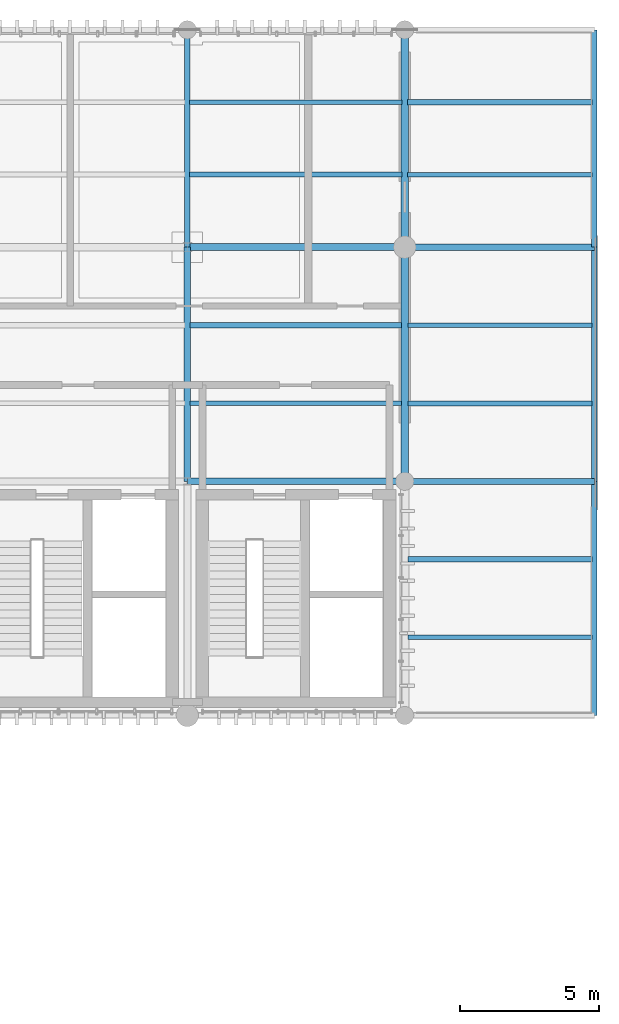
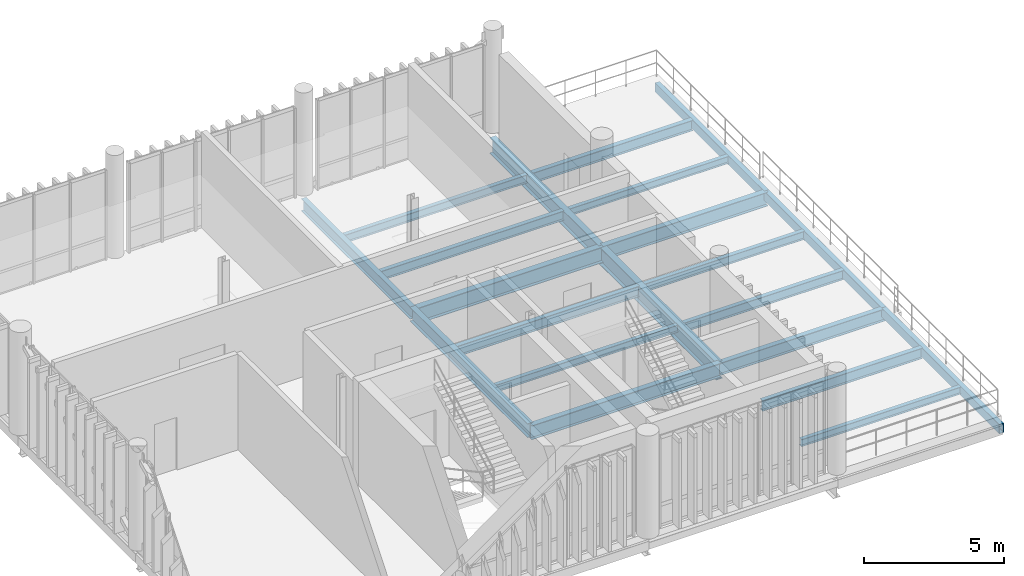
# One storey, part 9 of 19: 21 beams.
"""IFC4 building model written with IfcOpenShell, lengths in metres."""

from ifc_helpers import new_model, si_unit, direction, frame, origin_with_axes, origin_2d_with_axis, place, context, subcontext, project, spatial, hollow_rectangle, i_section, extrude, material, material_profile, profile_set, type_object, element, save


model = new_model("IFC4")

# Units and contexts
model_context = context("Model", 3, precision=1e-05, world=origin_with_axes(), true_north=direction((0.0, 1.0)))
body_context = subcontext(model_context, "Body", "Model", "MODEL_VIEW")
ifc_project = project(units=[si_unit("LENGTHUNIT", "METRE"), si_unit("AREAUNIT", "SQUARE_METRE"), si_unit("VOLUMEUNIT", "CUBIC_METRE"), si_unit("PLANEANGLEUNIT", "RADIAN"), si_unit("MASSUNIT", "GRAM", prefix="KILO"), si_unit("THERMODYNAMICTEMPERATUREUNIT", "KELVIN")], contexts=[model_context])

# Site, building, storey
site_placement = place(None, origin_with_axes())
site = spatial("IfcSite", under=ifc_project, at=site_placement, CompositionType="ELEMENT")
building_placement = place(site_placement, origin_with_axes())
building = spatial("IfcBuilding", under=site, at=building_placement, Name="Montbau Bow Law Courts", CompositionType="ELEMENT")
storey_placement = place(building_placement, frame((0.0, 0.0, 43.5), z_axis=(0.0, 0.0, 1.0), x_axis=(1.0, 0.0, 0.0)))
storey = spatial("IfcBuildingStorey", under=building, at=storey_placement, Name="L09", CompositionType="ELEMENT", Elevation=43.5)

# Beams
ifc_material_1 = material(Name="Steel CSA G40.21 Grade 350W (350 MPa)", Category="steel")
ifc_material_profile_1 = material_profile(ifc_material_1, i_section(OverallWidth=0.267, OverallDepth=0.766, WebThickness=0.0149, FlangeThickness=0.0236, at=origin_2d_with_axis()), Name="W760X185", Category="Main", Priority=0)
ifc_profile_set_1 = profile_set([ifc_material_profile_1], Name="Steel CSA G40.21 Grade 350W (350 MPa)")
beam_type_1 = type_object("IfcBeamType", Name="B-FLR-03", PredefinedType="BEAM", material=ifc_profile_set_1)
beam_1_placement = place(None, frame((162.6, 94.8, 42.757), z_axis=(0.0, 1.0, 0.0), x_axis=(-1.0, 0.0, 0.0)))
element("IfcBeam", 1, at=beam_1_placement, inside=storey, type_object=beam_type_1, Name="BM-L09-S1410:bm2_1413", PredefinedType="BEAM", context=body_context, shape_type="SweptSolid", body=[
    extrude(i_section(OverallWidth=0.267, OverallDepth=0.766, WebThickness=0.0149, FlangeThickness=0.0236, at=origin_2d_with_axis()), origin_with_axes(), (0.0, 0.0, 1.0), 8.4),
])
ifc_material_profile_2 = material_profile(ifc_material_1, i_section(OverallWidth=0.254, OverallDepth=0.688, WebThickness=0.0131, FlangeThickness=0.0211, at=origin_2d_with_axis()), Name="W690X152", Category="Main", Priority=0)
ifc_profile_set_2 = profile_set([ifc_material_profile_2], Name="Steel CSA G40.21 Grade 350W (350 MPa)")
beam_type_2 = type_object("IfcBeamType", Name="B-FLR-04", PredefinedType="BEAM", material=ifc_profile_set_2)
for number, where, z_axis, x_axis, name in (
    (2, (154.8, 103.2, 42.796), (1.0, 0.0, 0.0), (0.0, 1.0, 0.0), "BM-L09-S1394:bm2_1397"),
    (3, (162.6, 103.2, 42.796), (0.0, 1.0, 0.0), (-1.0, 0.0, 0.0), "BM-L09-S1411:bm2_1414"),
):
    element("IfcBeam", number, at=place(None, frame(where, z_axis=z_axis, x_axis=x_axis)), inside=storey, type_object=beam_type_2, Name=name, PredefinedType="BEAM", context=body_context, shape_type="SweptSolid", body=[
        extrude(i_section(OverallWidth=0.254, OverallDepth=0.688, WebThickness=0.0131, FlangeThickness=0.0211, at=origin_2d_with_axis()), origin_with_axes(), (0.0, 0.0, 1.0), 7.8),
    ])
ifc_material_profile_3 = material_profile(ifc_material_1, i_section(OverallWidth=0.229, OverallDepth=0.612, WebThickness=0.0119, FlangeThickness=0.0196, at=origin_2d_with_axis()), Name="W610X125", Category="Main", Priority=0)
ifc_profile_set_3 = profile_set([ifc_material_profile_3], Name="Steel CSA G40.21 Grade 350W (350 MPa)")
beam_type_3 = type_object("IfcBeamType", Name="B-FLR-05", PredefinedType="BEAM", material=ifc_profile_set_3)
beam_2_placement = place(None, frame((154.8, 94.8, 42.834), z_axis=(1.0, 0.0, 0.0), x_axis=(0.0, 1.0, 0.0)))
element("IfcBeam", 4, at=beam_2_placement, inside=storey, type_object=beam_type_3, Name="BM-L09-S1390:bm2_1393", PredefinedType="BEAM", context=body_context, shape_type="SweptSolid", body=[
    extrude(i_section(OverallWidth=0.229, OverallDepth=0.612, WebThickness=0.0119, FlangeThickness=0.0196, at=origin_2d_with_axis()), origin_with_axes(), (0.0, 0.0, 1.0), 7.8),
])
beam_3_placement = place(None, frame((162.6, 103.2, 42.834), z_axis=(1.0, 0.0, 0.0), x_axis=(0.0, 1.0, 0.0)))
element("IfcBeam", 5, at=beam_3_placement, inside=storey, type_object=beam_type_3, Name="BM-L09-S1395:bm2_1398", PredefinedType="BEAM", context=body_context, shape_type="SweptSolid", body=[
    extrude(i_section(OverallWidth=0.229, OverallDepth=0.612, WebThickness=0.0119, FlangeThickness=0.0196, at=origin_2d_with_axis()), origin_with_axes(), (0.0, 0.0, 1.0), 6.8),
])
beam_4_placement = place(None, frame((154.8, 94.8, 42.894), z_axis=(0.0, 1.0, 0.0), x_axis=(-1.0, 0.0, 0.0)))
element("IfcBeam", 6, at=beam_4_placement, inside=storey, type_object=beam_type_3, Name="BM-L09-S1407:bm2_1410", PredefinedType="BEAM", context=body_context, shape_type="SweptSolid", body=[
    extrude(i_section(OverallWidth=0.229, OverallDepth=0.612, WebThickness=0.0119, FlangeThickness=0.0196, at=origin_2d_with_axis()), origin_with_axes(), (0.0, 0.0, 1.0), 8.4),
])
ifc_material_profile_4 = material_profile(ifc_material_1, i_section(OverallWidth=0.21, OverallDepth=0.537, WebThickness=0.0109, FlangeThickness=0.0174, at=origin_2d_with_axis()), Name="W530X101", Category="Main", Priority=0)
ifc_profile_set_4 = profile_set([ifc_material_profile_4], Name="Steel CSA G40.21 Grade 350W (350 MPa)")
beam_type_4 = type_object("IfcBeamType", Name="B-FLR-06", PredefinedType="BEAM", material=ifc_profile_set_4)
beam_5_placement = place(None, frame((162.6, 94.8, 42.871), z_axis=(1.0, 0.0, 0.0), x_axis=(0.0, 1.0, 0.0)))
element("IfcBeam", 7, at=beam_5_placement, inside=storey, type_object=beam_type_4, Name="BM-L09-S1391:bm2_1394", PredefinedType="BEAM", context=body_context, shape_type="SweptSolid", body=[
    extrude(i_section(OverallWidth=0.21, OverallDepth=0.537, WebThickness=0.0109, FlangeThickness=0.0174, at=origin_2d_with_axis()), origin_with_axes(), (0.0, 0.0, 1.0), 6.8),
])
beam_6_placement = place(None, frame((154.8, 103.2, 42.931), z_axis=(0.0, 1.0, 0.0), x_axis=(-1.0, 0.0, 0.0)))
element("IfcBeam", 8, at=beam_6_placement, inside=storey, type_object=beam_type_4, Name="BM-L09-S1408:bm2_1411", PredefinedType="BEAM", context=body_context, shape_type="SweptSolid", body=[
    extrude(i_section(OverallWidth=0.21, OverallDepth=0.537, WebThickness=0.0109, FlangeThickness=0.0174, at=origin_2d_with_axis()), origin_with_axes(), (0.0, 0.0, 1.0), 7.8),
])
ifc_material_profile_5 = material_profile(ifc_material_1, i_section(OverallWidth=0.191, OverallDepth=0.46, WebThickness=0.0099, FlangeThickness=0.016, at=origin_2d_with_axis()), Name="W460X82", Category="Main", Priority=0)
ifc_profile_set_5 = profile_set([ifc_material_profile_5], Name="Steel CSA G40.21 Grade 350W (350 MPa)")
beam_type_5 = type_object("IfcBeamType", Name="B-JST-01", PredefinedType="JOIST", material=ifc_profile_set_5)
beam_7_placement = place(None, frame((154.891, 100.4, 42.91), z_axis=(1.0, 0.0, 0.0), x_axis=(0.0, 1.0, 0.0)))
element("IfcBeam", 9, at=beam_7_placement, inside=storey, type_object=beam_type_5, Name="JST-L09-S0784:jst2_0784", PredefinedType="JOIST", context=body_context, shape_type="SweptSolid", body=[
    extrude(i_section(OverallWidth=0.191, OverallDepth=0.46, WebThickness=0.0099, FlangeThickness=0.016, at=origin_2d_with_axis()), origin_with_axes(), (0.0, 0.0, 1.0), 7.599),
])
beam_8_placement = place(None, frame((162.722, 92.0, 42.91), z_axis=(1.0, 0.0, 0.0), x_axis=(0.0, 1.0, 0.0)))
element("IfcBeam", 10, at=beam_8_placement, inside=storey, type_object=beam_type_5, Name="JST-L09-S0788:jst2_0788", PredefinedType="JOIST", context=body_context, shape_type="SweptSolid", body=[
    extrude(i_section(OverallWidth=0.191, OverallDepth=0.46, WebThickness=0.0099, FlangeThickness=0.016, at=origin_2d_with_axis()), origin_with_axes(), (0.0, 0.0, 1.0), 6.598),
])
beam_9_placement = place(None, frame((162.703, 108.4, 42.91), z_axis=(1.0, 0.0, 0.0), x_axis=(0.0, 1.0, 0.0)))
element("IfcBeam", 11, at=beam_9_placement, inside=storey, type_object=beam_type_5, Name="JST-L09-S0792:jst2_0792", PredefinedType="JOIST", context=body_context, shape_type="SweptSolid", body=[
    extrude(i_section(OverallWidth=0.191, OverallDepth=0.46, WebThickness=0.0099, FlangeThickness=0.016, at=origin_2d_with_axis()), origin_with_axes(), (0.0, 0.0, 1.0), 6.617),
])
ifc_material_profile_6 = material_profile(ifc_material_1, i_section(OverallWidth=0.179, OverallDepth=0.41, WebThickness=0.0088, FlangeThickness=0.0144, at=origin_2d_with_axis()), Name="W410X67", Category="Main", Priority=0)
ifc_profile_set_6 = profile_set([ifc_material_profile_6], Name="Steel CSA G40.21 Grade 350W (350 MPa)")
beam_type_6 = type_object("IfcBeamType", Name="B-JST-02", PredefinedType="JOIST", material=ifc_profile_set_6)
beam_10_placement = place(None, frame((154.881, 105.8, 42.935), z_axis=(1.0, 0.0, 0.0), x_axis=(0.0, 1.0, 0.0)))
element("IfcBeam", 12, at=beam_10_placement, inside=storey, type_object=beam_type_6, Name="JST-L09-S0785:jst2_0785", PredefinedType="JOIST", context=body_context, shape_type="SweptSolid", body=[
    extrude(i_section(OverallWidth=0.179, OverallDepth=0.41, WebThickness=0.0088, FlangeThickness=0.0144, at=origin_2d_with_axis()), origin_with_axes(), (0.0, 0.0, 1.0), 7.616),
])
beam_11_placement = place(None, frame((162.709, 97.6, 42.935), z_axis=(1.0, 0.0, 0.0), x_axis=(0.0, 1.0, 0.0)))
element("IfcBeam", 13, at=beam_11_placement, inside=storey, type_object=beam_type_6, Name="JST-L09-S0789:jst2_0789", PredefinedType="JOIST", context=body_context, shape_type="SweptSolid", body=[
    extrude(i_section(OverallWidth=0.179, OverallDepth=0.41, WebThickness=0.0088, FlangeThickness=0.0144, at=origin_2d_with_axis()), origin_with_axes(), (0.0, 0.0, 1.0), 6.611),
])
ifc_material_profile_7 = material_profile(ifc_material_1, i_section(OverallWidth=0.172, OverallDepth=0.358, WebThickness=0.0079, FlangeThickness=0.0131, at=origin_2d_with_axis()), Name="W360X57", Category="Main", Priority=0)
ifc_profile_set_7 = profile_set([ifc_material_profile_7], Name="Steel CSA G40.21 Grade 350W (350 MPa)")
beam_type_7 = type_object("IfcBeamType", Name="B-JST-03", PredefinedType="JOIST", material=ifc_profile_set_7)
beam_12_placement = place(None, frame((154.881, 108.4, 42.961), z_axis=(1.0, 0.0, 0.0), x_axis=(0.0, 1.0, 0.0)))
element("IfcBeam", 14, at=beam_12_placement, inside=storey, type_object=beam_type_7, Name="JST-L09-S0786:jst2_0786", PredefinedType="JOIST", context=body_context, shape_type="SweptSolid", body=[
    extrude(i_section(OverallWidth=0.172, OverallDepth=0.358, WebThickness=0.0079, FlangeThickness=0.0131, at=origin_2d_with_axis()), origin_with_axes(), (0.0, 0.0, 1.0), 7.616),
])
beam_13_placement = place(None, frame((162.709, 100.4, 42.961), z_axis=(1.0, 0.0, 0.0), x_axis=(0.0, 1.0, 0.0)))
element("IfcBeam", 15, at=beam_13_placement, inside=storey, type_object=beam_type_7, Name="JST-L09-S0790:jst2_0790", PredefinedType="JOIST", context=body_context, shape_type="SweptSolid", body=[
    extrude(i_section(OverallWidth=0.172, OverallDepth=0.358, WebThickness=0.0079, FlangeThickness=0.0131, at=origin_2d_with_axis()), origin_with_axes(), (0.0, 0.0, 1.0), 6.611),
])
ifc_material_profile_8 = material_profile(ifc_material_1, i_section(OverallWidth=0.166, OverallDepth=0.313, WebThickness=0.0066, FlangeThickness=0.0112, at=origin_2d_with_axis()), Name="W310X45", Category="Main", Priority=0)
ifc_profile_set_8 = profile_set([ifc_material_profile_8], Name="Steel CSA G40.21 Grade 350W (350 MPa)")
beam_type_8 = type_object("IfcBeamType", Name="B-JST-04", PredefinedType="JOIST", material=ifc_profile_set_8)
beam_14_placement = place(None, frame((154.891, 97.6, 42.983), z_axis=(1.0, 0.0, 0.0), x_axis=(0.0, 1.0, 0.0)))
element("IfcBeam", 16, at=beam_14_placement, inside=storey, type_object=beam_type_8, Name="JST-L09-S0783:jst2_0783", PredefinedType="JOIST", context=body_context, shape_type="SweptSolid", body=[
    extrude(i_section(OverallWidth=0.166, OverallDepth=0.313, WebThickness=0.0066, FlangeThickness=0.0112, at=origin_2d_with_axis()), origin_with_axes(), (0.0, 0.0, 1.0), 7.599),
])
beam_15_placement = place(None, frame((162.722, 89.2, 42.983), z_axis=(1.0, 0.0, 0.0), x_axis=(0.0, 1.0, 0.0)))
element("IfcBeam", 17, at=beam_15_placement, inside=storey, type_object=beam_type_8, Name="JST-L09-S0787:jst2_0787", PredefinedType="JOIST", context=body_context, shape_type="SweptSolid", body=[
    extrude(i_section(OverallWidth=0.166, OverallDepth=0.313, WebThickness=0.0066, FlangeThickness=0.0112, at=origin_2d_with_axis()), origin_with_axes(), (0.0, 0.0, 1.0), 6.598),
])
beam_16_placement = place(None, frame((162.703, 105.8, 42.983), z_axis=(1.0, 0.0, 0.0), x_axis=(0.0, 1.0, 0.0)))
element("IfcBeam", 18, at=beam_16_placement, inside=storey, type_object=beam_type_8, Name="JST-L09-S0791:jst2_0791", PredefinedType="JOIST", context=body_context, shape_type="SweptSolid", body=[
    extrude(i_section(OverallWidth=0.166, OverallDepth=0.313, WebThickness=0.0066, FlangeThickness=0.0112, at=origin_2d_with_axis()), origin_with_axes(), (0.0, 0.0, 1.0), 6.617),
])
ifc_material_2 = material(Name="Steel CSA G40.21 Grade 350WT (350 MPa)", Category="steel")
ifc_material_profile_9 = material_profile(ifc_material_2, hollow_rectangle(XDim=0.203, YDim=0.406, WallThickness=0.0127, InnerFilletRadius=0.0254, OuterFilletRadius=0.0127, at=origin_2d_with_axis()), Name="HSS406X203X13", Category="Main", Priority=0)
ifc_profile_set_9 = profile_set([ifc_material_profile_9], Name="Steel CSA G40.21 Grade 350WT (350 MPa)")
beam_type_9 = type_object("IfcBeamType", Name="B-SPN-01", PredefinedType="SPANDREL", material=ifc_profile_set_9)
for number, where, z_axis, x_axis, name in (
    (19, (169.4, 86.4, 42.937), (0.0, 1.0, 0.0), (-1.0, 0.0, 0.0), "SPN-L09-S1412:bm2_1415"),
    (20, (169.4, 94.8, 42.937), (0.0, 1.0, 0.0), (-1.0, 0.0, 0.0), "SPN-L09-S1413:bm2_1416"),
):
    element("IfcBeam", number, at=place(None, frame(where, z_axis=z_axis, x_axis=x_axis)), inside=storey, type_object=beam_type_9, Name=name, PredefinedType="SPANDREL", context=body_context, shape_type="SweptSolid", body=[
        extrude(hollow_rectangle(XDim=0.203, YDim=0.406, WallThickness=0.0127, InnerFilletRadius=0.0254, OuterFilletRadius=0.0127, at=origin_2d_with_axis()), origin_with_axes(), (0.0, 0.0, 1.0), 8.4),
    ])
beam_17_placement = place(None, frame((169.4, 103.2, 42.937), z_axis=(0.0, 1.0, 0.0), x_axis=(-1.0, 0.0, 0.0)))
element("IfcBeam", 21, at=beam_17_placement, inside=storey, type_object=beam_type_9, Name="SPN-L09-S1414:bm2_1417", PredefinedType="SPANDREL", context=body_context, shape_type="SweptSolid", body=[
    extrude(hollow_rectangle(XDim=0.203, YDim=0.406, WallThickness=0.0127, InnerFilletRadius=0.0254, OuterFilletRadius=0.0127, at=origin_2d_with_axis()), origin_with_axes(), (0.0, 0.0, 1.0), 7.8),
])

save(model, "model.ifc")
